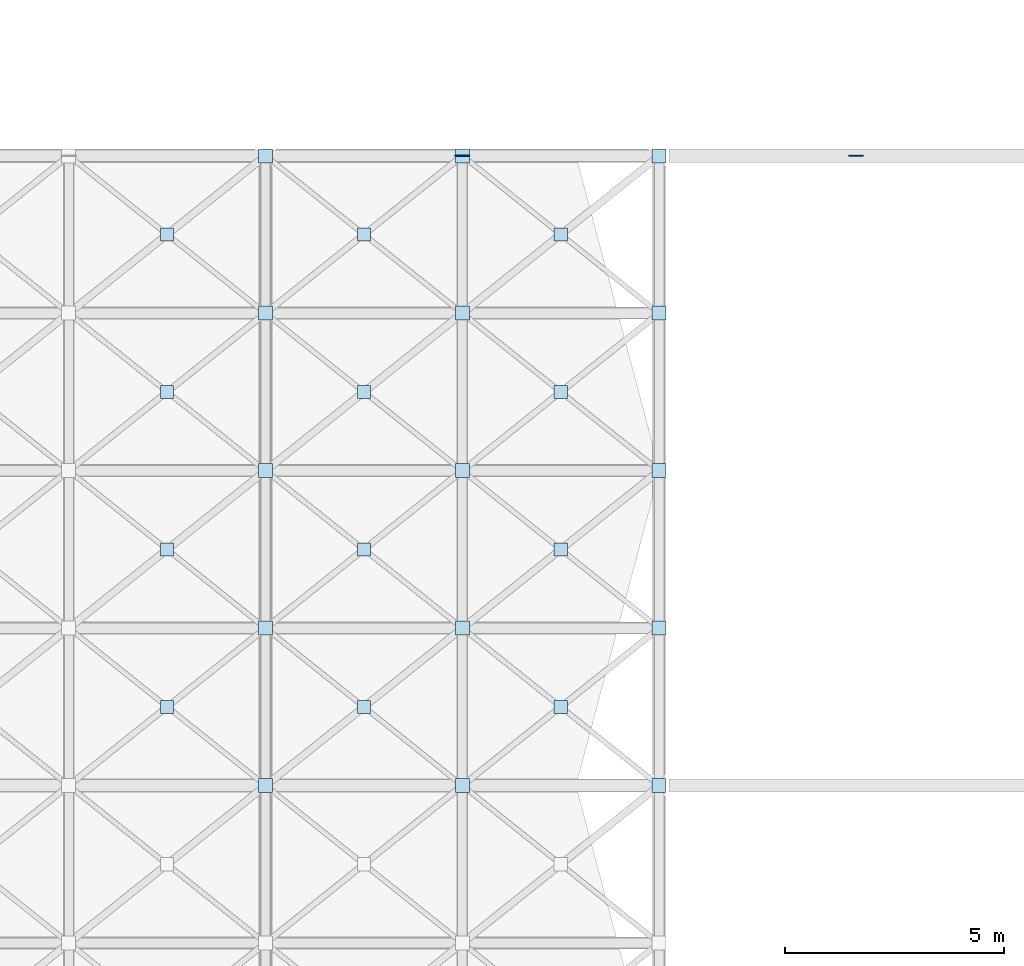
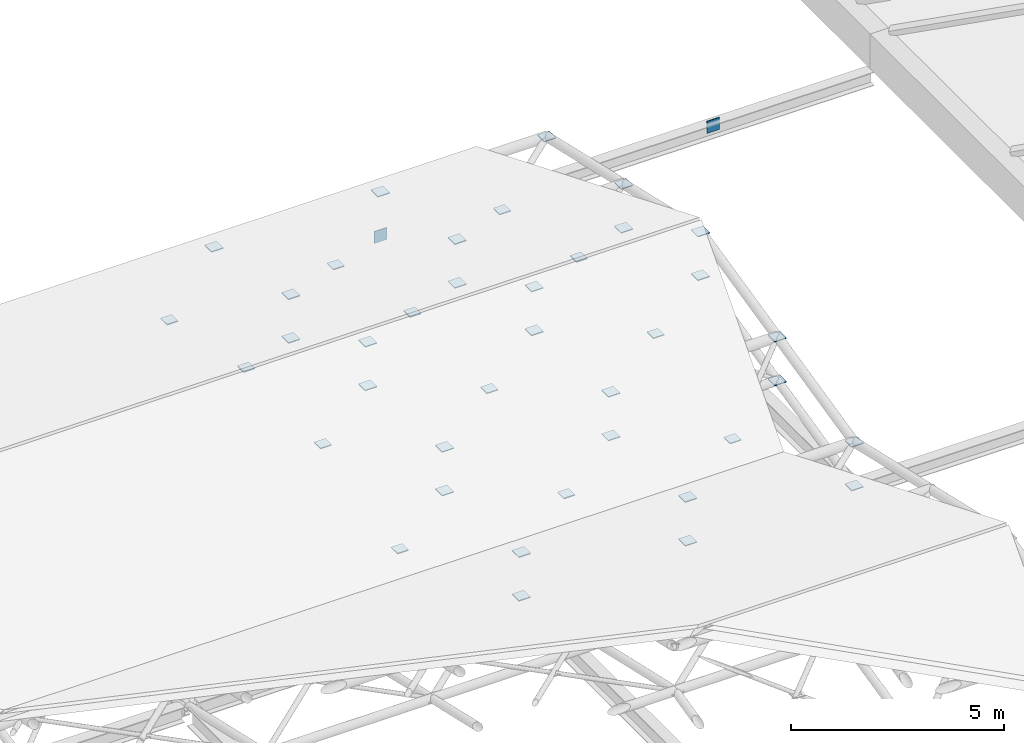
# One storey, part 85 of 110: 41 plates.
"""IFC4 building model written with IfcOpenShell, lengths in metres."""

from ifc_helpers import new_model, si_unit, direction, frame, origin, origin_2d, place, context, subcontext, project, spatial, rectangle, extrude, material, layer, layer_set, type_object, element, save


model = new_model("IFC4")

# Units and contexts
model_context = context("Model", 3, precision=1e-05, world=origin(), true_north=direction((0.0, 1.0)))
body_context = subcontext(model_context, "Body", "Model", "MODEL_VIEW")
ifc_project = project(units=[si_unit("LENGTHUNIT", "METRE"), si_unit("AREAUNIT", "SQUARE_METRE"), si_unit("VOLUMEUNIT", "CUBIC_METRE"), si_unit("PLANEANGLEUNIT", "RADIAN"), si_unit("MASSUNIT", "GRAM", prefix="KILO")], contexts=[model_context])

# Site, building, storey
site_placement = place(None, origin())
site = spatial("IfcSite", under=ifc_project, at=site_placement, CompositionType="ELEMENT")
building_placement = place(site_placement, origin())
building = spatial("IfcBuilding", under=site, at=building_placement, Name="Tamarisk Ironworks Central Station", CompositionType="ELEMENT")
storey_placement = place(building_placement, frame((0.0, 0.0, 17.39990234375)))
storey = spatial("IfcBuildingStorey", under=building, at=storey_placement, Name="L03", CompositionType="ELEMENT", Elevation=17.39990234375)

# Plates
ifc_material_1 = material(Name="Painted structural steel S355J2", Category="steel")
ifc_layer_1 = layer(ifc_material_1, 0.01611328125)
ifc_layer_set_1 = layer_set([ifc_layer_1], Name="Painted structural steel S355J2")
plate_type_1 = type_object("IfcPlateType", Name="PL-EC16", PredefinedType="SHEET", material=ifc_layer_set_1)
for number, where, z_axis, x_axis, name in (
    (1, (40.5, 79.199951171875, -1.89013671875), (0.0, 0.0, 1.0), (1.0, 0.0, 0.0), "Hollow section welded end-cap plate 38"),
    (2, (49.5, 79.199951171875, -1.89013671875), (0.0, 0.0, 1.0), (1.0, 0.0, 0.0), "Hollow section welded end-cap plate 39"),
):
    element("IfcPlate", number, at=place(storey_placement, frame(where, z_axis=z_axis, x_axis=x_axis)), inside=storey, type_object=plate_type_1, Name=name, PredefinedType="SHEET", context=body_context, shape_type="SweptSolid", body=[
        extrude(rectangle(XDim=0.340087890625, YDim=0.02392578125, at=origin_2d()), origin(), (0.0, 0.0, 1.0), 0.340087890625),
    ])
ifc_material_2 = material(Name="Structural steel S355J2H", Category="steel")
ifc_layer_2 = layer(ifc_material_2, 0.02587890625)
ifc_layer_set_2 = layer_set([ifc_layer_2], Name="Structural steel S355J2H")
plate_type_2 = type_object("IfcPlateType", Name="PL-ND26", PredefinedType="SHEET", material=ifc_layer_set_2)
for number, where, z_axis, x_axis, name in (
    (3, (36.0, 64.800048828125, -0.48291015625), (0.0, 0.0, 1.0), (1.0, 0.0, 0.0), "Space-frame collector node plate 0355"),
    (4, (40.5, 64.800048828125, -0.48291015625), (0.0, 0.0, 1.0), (1.0, 0.0, 0.0), "Space-frame collector node plate 0367"),
    (5, (45.0, 64.800048828125, -0.48291015625), (0.0, 0.0, 1.0), (1.0, 0.0, 0.0), "Space-frame collector node plate 0379"),
):
    element("IfcPlate", number, at=place(storey_placement, frame(where, z_axis=z_axis, x_axis=x_axis)), inside=storey, type_object=plate_type_2, Name=name, PredefinedType="SHEET", context=body_context, shape_type="SweptSolid", body=[
        extrude(rectangle(XDim=0.320068359375, YDim=0.320068359375, at=origin_2d()), origin(), (0.0, 0.0, 1.0), 0.02587890625),
    ])
plate_1_placement = place(storey_placement, frame((33.75, 66.60009765625, -0.6953125), z_axis=(0.0, 0.0, 1.0), x_axis=(1.0, 0.0, 0.0)))
element("IfcPlate", 6, at=plate_1_placement, inside=storey, type_object=plate_type_2, Name="Space-frame X-brace crossing gusset plate 0472", PredefinedType="SHEET", context=body_context, shape_type="SweptSolid", body=[
    extrude(rectangle(XDim=0.300048828125, YDim=0.300048828125, at=origin_2d()), origin(), (0.0, 0.0, 1.0), 0.02587890625),
])
for number, where, z_axis, x_axis, name in (
    (7, (36.0, 64.800048828125, -1.73291015625), (0.0, 0.0, 1.0), (1.0, 0.0, 0.0), "Space-frame collector node plate 0473"),
    (8, (36.0, 68.39990234375, 0.342041015625), (0.0, 0.0, 1.0), (1.0, 0.0, 0.0), "Space-frame collector node plate 0474"),
):
    element("IfcPlate", number, at=place(storey_placement, frame(where, z_axis=z_axis, x_axis=x_axis)), inside=storey, type_object=plate_type_2, Name=name, PredefinedType="SHEET", context=body_context, shape_type="SweptSolid", body=[
        extrude(rectangle(XDim=0.320068359375, YDim=0.320068359375, at=origin_2d()), origin(), (0.0, 0.0, 1.0), 0.02587890625),
    ])
plate_2_placement = place(storey_placement, frame((33.75, 70.199951171875, 0.129638671875), z_axis=(0.0, 0.0, 1.0), x_axis=(1.0, 0.0, 0.0)))
element("IfcPlate", 9, at=plate_2_placement, inside=storey, type_object=plate_type_2, Name="Space-frame X-brace crossing gusset plate 0475", PredefinedType="SHEET", context=body_context, shape_type="SweptSolid", body=[
    extrude(rectangle(XDim=0.300048828125, YDim=0.300048828125, at=origin_2d()), origin(), (0.0, 0.0, 1.0), 0.02587890625),
])
for number, where, z_axis, x_axis, name in (
    (10, (36.0, 68.39990234375, -0.907958984375), (0.0, 0.0, 1.0), (1.0, 0.0, 0.0), "Space-frame collector node plate 0476"),
    (11, (36.0, 72.0, 1.167236328125), (0.0, 0.0, 1.0), (1.0, 0.0, 0.0), "Space-frame collector node plate 0477"),
):
    element("IfcPlate", number, at=place(storey_placement, frame(where, z_axis=z_axis, x_axis=x_axis)), inside=storey, type_object=plate_type_2, Name=name, PredefinedType="SHEET", context=body_context, shape_type="SweptSolid", body=[
        extrude(rectangle(XDim=0.320068359375, YDim=0.320068359375, at=origin_2d()), origin(), (0.0, 0.0, 1.0), 0.02587890625),
    ])
plate_3_placement = place(storey_placement, frame((33.75, 73.800048828125, 0.129638671875), z_axis=(0.0, 0.0, 1.0), x_axis=(1.0, 0.0, 0.0)))
element("IfcPlate", 12, at=plate_3_placement, inside=storey, type_object=plate_type_2, Name="Space-frame X-brace crossing gusset plate 0478", PredefinedType="SHEET", context=body_context, shape_type="SweptSolid", body=[
    extrude(rectangle(XDim=0.300048828125, YDim=0.300048828125, at=origin_2d()), origin(), (0.0, 0.0, 1.0), 0.02587890625),
])
for number, where, z_axis, x_axis, name in (
    (13, (36.0, 72.0, -0.082763671875), (0.0, 0.0, 1.0), (1.0, 0.0, 0.0), "Space-frame collector node plate 0479"),
    (14, (36.0, 75.60009765625, 0.342041015625), (0.0, 0.0, 1.0), (1.0, 0.0, 0.0), "Space-frame collector node plate 0480"),
):
    element("IfcPlate", number, at=place(storey_placement, frame(where, z_axis=z_axis, x_axis=x_axis)), inside=storey, type_object=plate_type_2, Name=name, PredefinedType="SHEET", context=body_context, shape_type="SweptSolid", body=[
        extrude(rectangle(XDim=0.320068359375, YDim=0.320068359375, at=origin_2d()), origin(), (0.0, 0.0, 1.0), 0.02587890625),
    ])
plate_4_placement = place(storey_placement, frame((33.75, 77.39990234375, -0.6953125), z_axis=(0.0, 0.0, 1.0), x_axis=(1.0, 0.0, 0.0)))
element("IfcPlate", 15, at=plate_4_placement, inside=storey, type_object=plate_type_2, Name="Space-frame X-brace crossing gusset plate 0481", PredefinedType="SHEET", context=body_context, shape_type="SweptSolid", body=[
    extrude(rectangle(XDim=0.300048828125, YDim=0.300048828125, at=origin_2d()), origin(), (0.0, 0.0, 1.0), 0.02587890625),
])
for number, where, z_axis, x_axis, name in (
    (16, (36.0, 75.60009765625, -0.907958984375), (0.0, 0.0, 1.0), (1.0, 0.0, 0.0), "Space-frame collector node plate 0482"),
    (17, (36.0, 79.199951171875, -0.48291015625), (0.0, 0.0, 1.0), (1.0, 0.0, 0.0), "Space-frame collector node plate 0483"),
):
    element("IfcPlate", number, at=place(storey_placement, frame(where, z_axis=z_axis, x_axis=x_axis)), inside=storey, type_object=plate_type_2, Name=name, PredefinedType="SHEET", context=body_context, shape_type="SweptSolid", body=[
        extrude(rectangle(XDim=0.320068359375, YDim=0.320068359375, at=origin_2d()), origin(), (0.0, 0.0, 1.0), 0.02587890625),
    ])
plate_5_placement = place(storey_placement, frame((38.25, 66.60009765625, -0.6953125), z_axis=(0.0, 0.0, 1.0), x_axis=(1.0, 0.0, 0.0)))
element("IfcPlate", 18, at=plate_5_placement, inside=storey, type_object=plate_type_2, Name="Space-frame X-brace crossing gusset plate 0484", PredefinedType="SHEET", context=body_context, shape_type="SweptSolid", body=[
    extrude(rectangle(XDim=0.300048828125, YDim=0.300048828125, at=origin_2d()), origin(), (0.0, 0.0, 1.0), 0.02587890625),
])
for number, where, z_axis, x_axis, name in (
    (19, (40.5, 64.800048828125, -1.73291015625), (0.0, 0.0, 1.0), (1.0, 0.0, 0.0), "Space-frame collector node plate 0485"),
    (20, (40.5, 68.39990234375, 0.342041015625), (0.0, 0.0, 1.0), (1.0, 0.0, 0.0), "Space-frame collector node plate 0486"),
):
    element("IfcPlate", number, at=place(storey_placement, frame(where, z_axis=z_axis, x_axis=x_axis)), inside=storey, type_object=plate_type_2, Name=name, PredefinedType="SHEET", context=body_context, shape_type="SweptSolid", body=[
        extrude(rectangle(XDim=0.320068359375, YDim=0.320068359375, at=origin_2d()), origin(), (0.0, 0.0, 1.0), 0.02587890625),
    ])
plate_6_placement = place(storey_placement, frame((38.25, 70.199951171875, 0.129638671875), z_axis=(0.0, 0.0, 1.0), x_axis=(1.0, 0.0, 0.0)))
element("IfcPlate", 21, at=plate_6_placement, inside=storey, type_object=plate_type_2, Name="Space-frame X-brace crossing gusset plate 0487", PredefinedType="SHEET", context=body_context, shape_type="SweptSolid", body=[
    extrude(rectangle(XDim=0.300048828125, YDim=0.300048828125, at=origin_2d()), origin(), (0.0, 0.0, 1.0), 0.02587890625),
])
for number, where, z_axis, x_axis, name in (
    (22, (40.5, 68.39990234375, -0.907958984375), (0.0, 0.0, 1.0), (1.0, 0.0, 0.0), "Space-frame collector node plate 0488"),
    (23, (40.5, 72.0, 1.167236328125), (0.0, 0.0, 1.0), (1.0, 0.0, 0.0), "Space-frame collector node plate 0489"),
):
    element("IfcPlate", number, at=place(storey_placement, frame(where, z_axis=z_axis, x_axis=x_axis)), inside=storey, type_object=plate_type_2, Name=name, PredefinedType="SHEET", context=body_context, shape_type="SweptSolid", body=[
        extrude(rectangle(XDim=0.320068359375, YDim=0.320068359375, at=origin_2d()), origin(), (0.0, 0.0, 1.0), 0.02587890625),
    ])
plate_7_placement = place(storey_placement, frame((38.25, 73.800048828125, 0.129638671875), z_axis=(0.0, 0.0, 1.0), x_axis=(1.0, 0.0, 0.0)))
element("IfcPlate", 24, at=plate_7_placement, inside=storey, type_object=plate_type_2, Name="Space-frame X-brace crossing gusset plate 0490", PredefinedType="SHEET", context=body_context, shape_type="SweptSolid", body=[
    extrude(rectangle(XDim=0.300048828125, YDim=0.300048828125, at=origin_2d()), origin(), (0.0, 0.0, 1.0), 0.02587890625),
])
for number, where, z_axis, x_axis, name in (
    (25, (40.5, 72.0, -0.082763671875), (0.0, 0.0, 1.0), (1.0, 0.0, 0.0), "Space-frame collector node plate 0491"),
    (26, (40.5, 75.60009765625, 0.342041015625), (0.0, 0.0, 1.0), (1.0, 0.0, 0.0), "Space-frame collector node plate 0492"),
):
    element("IfcPlate", number, at=place(storey_placement, frame(where, z_axis=z_axis, x_axis=x_axis)), inside=storey, type_object=plate_type_2, Name=name, PredefinedType="SHEET", context=body_context, shape_type="SweptSolid", body=[
        extrude(rectangle(XDim=0.320068359375, YDim=0.320068359375, at=origin_2d()), origin(), (0.0, 0.0, 1.0), 0.02587890625),
    ])
plate_8_placement = place(storey_placement, frame((38.25, 77.39990234375, -0.6953125), z_axis=(0.0, 0.0, 1.0), x_axis=(1.0, 0.0, 0.0)))
element("IfcPlate", 27, at=plate_8_placement, inside=storey, type_object=plate_type_2, Name="Space-frame X-brace crossing gusset plate 0493", PredefinedType="SHEET", context=body_context, shape_type="SweptSolid", body=[
    extrude(rectangle(XDim=0.300048828125, YDim=0.300048828125, at=origin_2d()), origin(), (0.0, 0.0, 1.0), 0.02587890625),
])
for number, where, z_axis, x_axis, name in (
    (28, (40.5, 75.60009765625, -0.907958984375), (0.0, 0.0, 1.0), (1.0, 0.0, 0.0), "Space-frame collector node plate 0494"),
    (29, (40.5, 79.199951171875, -0.48291015625), (0.0, 0.0, 1.0), (1.0, 0.0, 0.0), "Space-frame collector node plate 0495"),
):
    element("IfcPlate", number, at=place(storey_placement, frame(where, z_axis=z_axis, x_axis=x_axis)), inside=storey, type_object=plate_type_2, Name=name, PredefinedType="SHEET", context=body_context, shape_type="SweptSolid", body=[
        extrude(rectangle(XDim=0.320068359375, YDim=0.320068359375, at=origin_2d()), origin(), (0.0, 0.0, 1.0), 0.02587890625),
    ])
plate_9_placement = place(storey_placement, frame((42.75, 66.60009765625, -0.6953125), z_axis=(0.0, 0.0, 1.0), x_axis=(1.0, 0.0, 0.0)))
element("IfcPlate", 30, at=plate_9_placement, inside=storey, type_object=plate_type_2, Name="Space-frame X-brace crossing gusset plate 0496", PredefinedType="SHEET", context=body_context, shape_type="SweptSolid", body=[
    extrude(rectangle(XDim=0.300048828125, YDim=0.300048828125, at=origin_2d()), origin(), (0.0, 0.0, 1.0), 0.02587890625),
])
for number, where, z_axis, x_axis, name in (
    (31, (45.0, 64.800048828125, -1.73291015625), (0.0, 0.0, 1.0), (1.0, 0.0, 0.0), "Space-frame collector node plate 0497"),
    (32, (45.0, 68.39990234375, 0.342041015625), (0.0, 0.0, 1.0), (1.0, 0.0, 0.0), "Space-frame collector node plate 0498"),
):
    element("IfcPlate", number, at=place(storey_placement, frame(where, z_axis=z_axis, x_axis=x_axis)), inside=storey, type_object=plate_type_2, Name=name, PredefinedType="SHEET", context=body_context, shape_type="SweptSolid", body=[
        extrude(rectangle(XDim=0.320068359375, YDim=0.320068359375, at=origin_2d()), origin(), (0.0, 0.0, 1.0), 0.02587890625),
    ])
plate_10_placement = place(storey_placement, frame((42.75, 70.199951171875, 0.129638671875), z_axis=(0.0, 0.0, 1.0), x_axis=(1.0, 0.0, 0.0)))
element("IfcPlate", 33, at=plate_10_placement, inside=storey, type_object=plate_type_2, Name="Space-frame X-brace crossing gusset plate 0499", PredefinedType="SHEET", context=body_context, shape_type="SweptSolid", body=[
    extrude(rectangle(XDim=0.300048828125, YDim=0.300048828125, at=origin_2d()), origin(), (0.0, 0.0, 1.0), 0.02587890625),
])
for number, where, z_axis, x_axis, name in (
    (34, (45.0, 68.39990234375, -0.907958984375), (0.0, 0.0, 1.0), (1.0, 0.0, 0.0), "Space-frame collector node plate 0500"),
    (35, (45.0, 72.0, 1.167236328125), (0.0, 0.0, 1.0), (1.0, 0.0, 0.0), "Space-frame collector node plate 0501"),
):
    element("IfcPlate", number, at=place(storey_placement, frame(where, z_axis=z_axis, x_axis=x_axis)), inside=storey, type_object=plate_type_2, Name=name, PredefinedType="SHEET", context=body_context, shape_type="SweptSolid", body=[
        extrude(rectangle(XDim=0.320068359375, YDim=0.320068359375, at=origin_2d()), origin(), (0.0, 0.0, 1.0), 0.02587890625),
    ])
plate_11_placement = place(storey_placement, frame((42.75, 73.800048828125, 0.129638671875), z_axis=(0.0, 0.0, 1.0), x_axis=(1.0, 0.0, 0.0)))
element("IfcPlate", 36, at=plate_11_placement, inside=storey, type_object=plate_type_2, Name="Space-frame X-brace crossing gusset plate 0502", PredefinedType="SHEET", context=body_context, shape_type="SweptSolid", body=[
    extrude(rectangle(XDim=0.300048828125, YDim=0.300048828125, at=origin_2d()), origin(), (0.0, 0.0, 1.0), 0.02587890625),
])
for number, where, z_axis, x_axis, name in (
    (37, (45.0, 72.0, -0.082763671875), (0.0, 0.0, 1.0), (1.0, 0.0, 0.0), "Space-frame collector node plate 0503"),
    (38, (45.0, 75.60009765625, 0.342041015625), (0.0, 0.0, 1.0), (1.0, 0.0, 0.0), "Space-frame collector node plate 0504"),
):
    element("IfcPlate", number, at=place(storey_placement, frame(where, z_axis=z_axis, x_axis=x_axis)), inside=storey, type_object=plate_type_2, Name=name, PredefinedType="SHEET", context=body_context, shape_type="SweptSolid", body=[
        extrude(rectangle(XDim=0.320068359375, YDim=0.320068359375, at=origin_2d()), origin(), (0.0, 0.0, 1.0), 0.02587890625),
    ])
plate_12_placement = place(storey_placement, frame((42.75, 77.39990234375, -0.6953125), z_axis=(0.0, 0.0, 1.0), x_axis=(1.0, 0.0, 0.0)))
element("IfcPlate", 39, at=plate_12_placement, inside=storey, type_object=plate_type_2, Name="Space-frame X-brace crossing gusset plate 0505", PredefinedType="SHEET", context=body_context, shape_type="SweptSolid", body=[
    extrude(rectangle(XDim=0.300048828125, YDim=0.300048828125, at=origin_2d()), origin(), (0.0, 0.0, 1.0), 0.02587890625),
])
for number, where, z_axis, x_axis, name in (
    (40, (45.0, 75.60009765625, -0.907958984375), (0.0, 0.0, 1.0), (1.0, 0.0, 0.0), "Space-frame collector node plate 0506"),
    (41, (45.0, 79.199951171875, -0.48291015625), (0.0, 0.0, 1.0), (1.0, 0.0, 0.0), "Space-frame collector node plate 0507"),
):
    element("IfcPlate", number, at=place(storey_placement, frame(where, z_axis=z_axis, x_axis=x_axis)), inside=storey, type_object=plate_type_2, Name=name, PredefinedType="SHEET", context=body_context, shape_type="SweptSolid", body=[
        extrude(rectangle(XDim=0.320068359375, YDim=0.320068359375, at=origin_2d()), origin(), (0.0, 0.0, 1.0), 0.02587890625),
    ])

save(model, "model.ifc")
